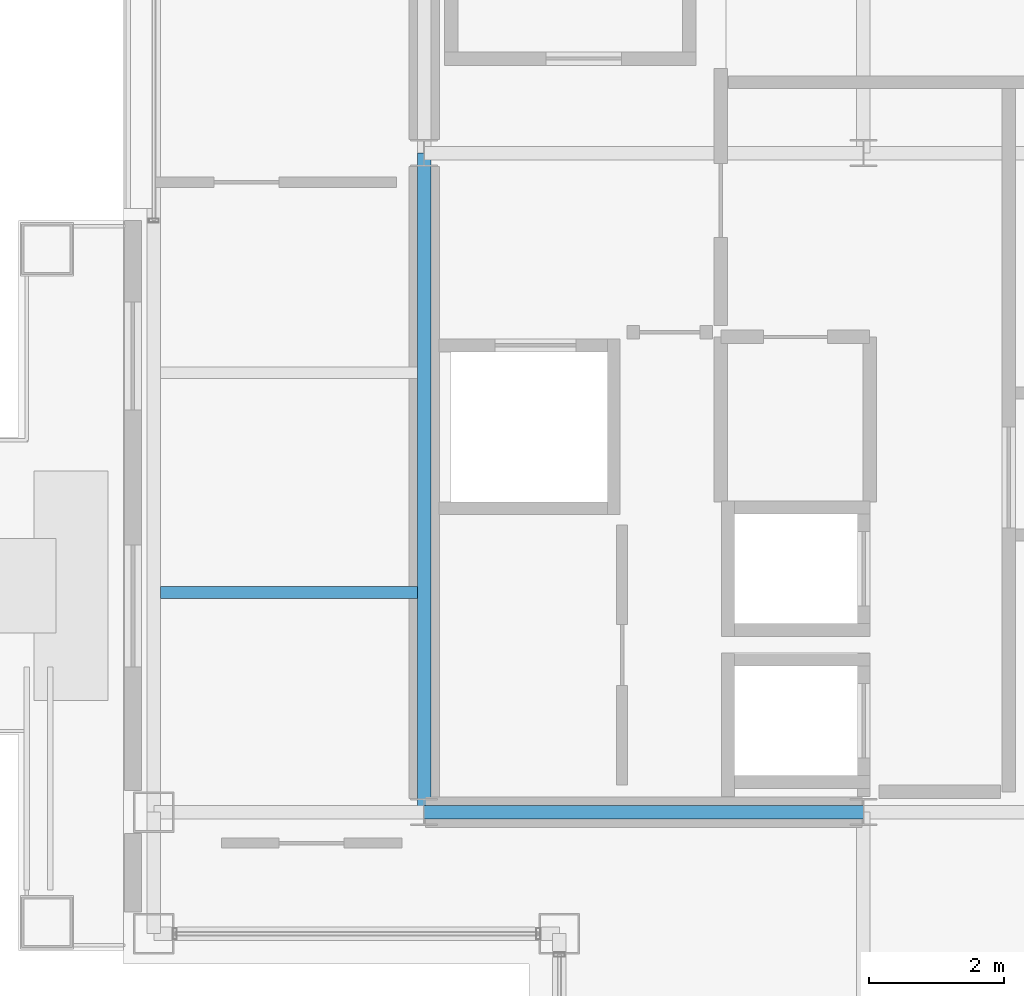
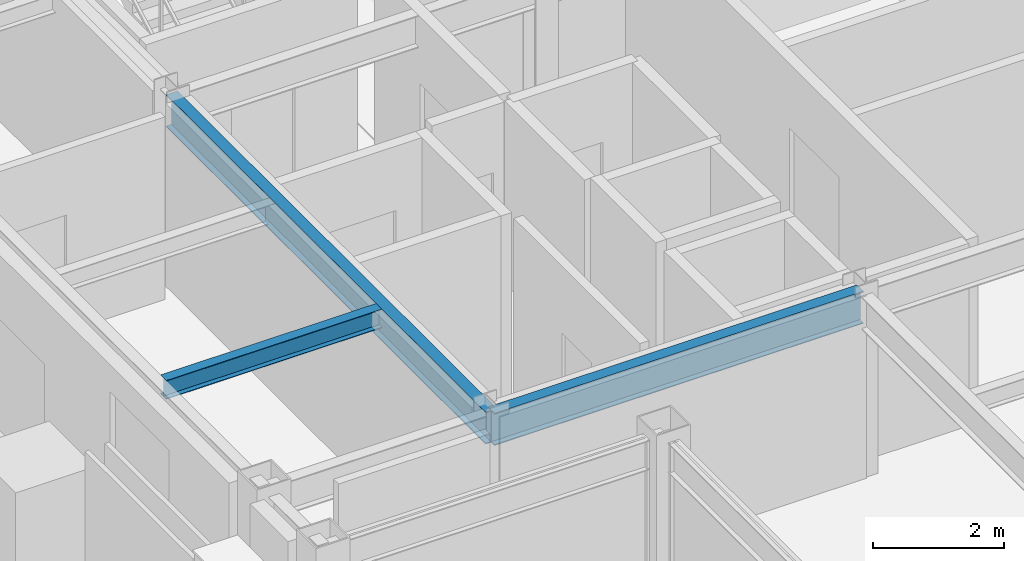
# One storey, part 4 of 27: 3 beams.
"""IFC4 building model written with IfcOpenShell, lengths in metres."""

from ifc_helpers import new_model, si_unit, direction, frame, origin, origin_2d, place, context, subcontext, project, spatial, i_section, extrude, material, material_profile, profile_set, type_object, element, save


model = new_model("IFC4")

# Units and contexts
model_context = context("Model", 3, precision=1e-05, world=origin(), true_north=direction((0.0, 1.0)))
body_context = subcontext(model_context, "Body", "Model", "MODEL_VIEW")
ifc_project = project(units=[si_unit("LENGTHUNIT", "METRE"), si_unit("AREAUNIT", "SQUARE_METRE"), si_unit("VOLUMEUNIT", "CUBIC_METRE"), si_unit("PLANEANGLEUNIT", "RADIAN"), si_unit("MASSUNIT", "GRAM", prefix="KILO")], contexts=[model_context])

# Site, building, storey
site_placement = place(None, origin())
site = spatial("IfcSite", under=ifc_project, at=site_placement, CompositionType="ELEMENT")
building_placement = place(site_placement, origin())
building = spatial("IfcBuilding", under=site, at=building_placement, Name="Brelmoor Portico Tower", CompositionType="ELEMENT")
storey_placement = place(building_placement, frame((0.0, 0.0, 250.800048828125)))
storey = spatial("IfcBuildingStorey", under=building, at=storey_placement, Name="L66", CompositionType="ELEMENT", Elevation=250.800048828125)

# Beams
ifc_material = material(Name="Steel Q355B", Category="steel")
ifc_material_profile_1 = material_profile(ifc_material, i_section(OverallWidth=0.175048828125, OverallDepth=0.35009765625, WebThickness=0.007080078125, FlangeThickness=0.010986328125, at=origin_2d()), Name="HN 350x175x7x11")
ifc_profile_set_1 = profile_set([ifc_material_profile_1], Name="Steel Q355B")
beam_type_1 = type_object("IfcBeamType", Name="BM-JS-350", PredefinedType="JOIST", material=ifc_profile_set_1)
beam_1_placement = place(storey_placement, frame((-18.449951171875, -6.5, 3.224853515625), z_axis=(1.0, 0.0, 0.0), x_axis=(0.0, 1.0, 0.0)))
element("IfcBeam", 1, at=beam_1_placement, inside=storey, type_object=beam_type_1, Name="L66 Secondary Wing Joist JS-W07", PredefinedType="JOIST", context=body_context, shape_type="SweptSolid", body=[
    extrude(i_section(OverallWidth=0.175048828125, OverallDepth=0.35009765625, WebThickness=0.007080078125, FlangeThickness=0.010986328125, at=origin_2d()), origin(), (0.0, 0.0, 1.0), 3.800048828125),
])
ifc_material_profile_2 = material_profile(ifc_material, i_section(OverallWidth=0.199951171875, OverallDepth=0.60009765625, WebThickness=0.010986328125, FlangeThickness=0.01708984375, at=origin_2d()), Name="HN 600x200x11x17")
ifc_profile_set_2 = profile_set([ifc_material_profile_2], Name="Steel Q355B")
beam_type_2 = type_object("IfcBeamType", Name="BM-PG-600", PredefinedType="BEAM", material=ifc_profile_set_2)
beam_2_placement = place(storey_placement, frame((-14.550048828125, -9.75, 3.099853515625), z_axis=(0.0, 1.0, 0.0), x_axis=(-1.0, 0.0, 0.0)))
element("IfcBeam", 2, at=beam_2_placement, inside=storey, type_object=beam_type_2, Name="L66 Primary Floor Girder PG-01", PredefinedType="BEAM", context=body_context, shape_type="SweptSolid", body=[
    extrude(i_section(OverallWidth=0.199951171875, OverallDepth=0.60009765625, WebThickness=0.010986328125, FlangeThickness=0.01708984375, at=origin_2d()), origin(), (0.0, 0.0, 1.0), 9.75),
])
beam_3_placement = place(storey_placement, frame((-14.550048828125, -9.75, 3.099853515625), z_axis=(1.0, 0.0, 0.0), x_axis=(0.0, 1.0, 0.0)))
element("IfcBeam", 3, at=beam_3_placement, inside=storey, type_object=beam_type_2, Name="L66 Primary Floor Girder PG-12", PredefinedType="BEAM", context=body_context, shape_type="SweptSolid", body=[
    extrude(i_section(OverallWidth=0.199951171875, OverallDepth=0.60009765625, WebThickness=0.010986328125, FlangeThickness=0.01708984375, at=origin_2d()), origin(), (0.0, 0.0, 1.0), 6.5),
])

save(model, "model.ifc")
